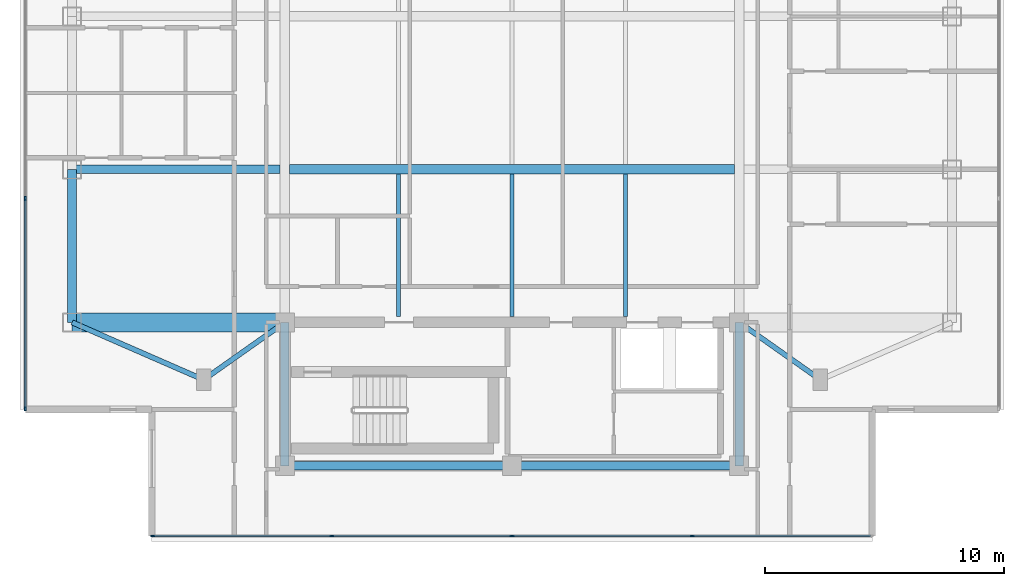
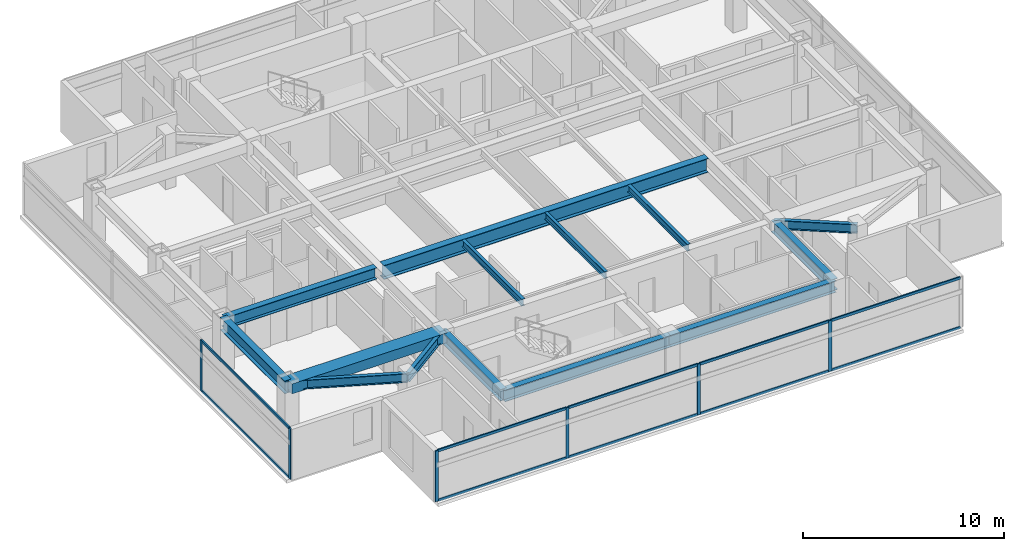
# One storey, part 2 of 12: 16 members, 14 beams, 2 elements without a shape of their own.
"""IFC4 building model written with IfcOpenShell, lengths in metres."""

from ifc_helpers import new_model, si_unit, direction, frame, origin, origin_2d, place, context, subcontext, project, spatial, rectangle, i_section, extrude, material, material_profile, profile_set, type_object, element, aggregate, save


model = new_model("IFC4")

# Units and contexts
model_context = context("Model", 3, precision=1e-05, world=origin(), true_north=direction((0.0, 1.0)))
body_context = subcontext(model_context, "Body", "Model", "MODEL_VIEW")
ifc_project = project(units=[si_unit("LENGTHUNIT", "METRE"), si_unit("AREAUNIT", "SQUARE_METRE"), si_unit("VOLUMEUNIT", "CUBIC_METRE"), si_unit("PLANEANGLEUNIT", "RADIAN"), si_unit("MASSUNIT", "GRAM", prefix="KILO")], contexts=[model_context])

# Site, building, storey
site_placement = place(None, origin())
site = spatial("IfcSite", under=ifc_project, at=site_placement, CompositionType="ELEMENT")
building_placement = place(site_placement, origin())
building = spatial("IfcBuilding", under=site, at=building_placement, Name="Mirazonda Arch Towers", CompositionType="ELEMENT")
storey_placement = place(building_placement, frame((0.0, 0.0, 222.699951171875)))
storey = spatial("IfcBuildingStorey", under=building, at=storey_placement, Name="L63", CompositionType="ELEMENT", Elevation=222.699951171875)

# Beams
ifc_material_1 = material(Name="Steel ASTM A992 Grade 50", Category="steel")
ifc_material_profile_1 = material_profile(ifc_material_1, i_section(OverallWidth=0.381103515625, OverallDepth=0.77294921875, WebThickness=0.0166015625, FlangeThickness=0.027099609375, at=origin_2d()), Name="W30X173")
ifc_profile_set_1 = profile_set([ifc_material_profile_1], Name="Steel ASTM A992 Grade 50")
beam_type_1 = type_object("IfcBeamType", Name="BM-EXT-W30X173", PredefinedType="USERDEFINED", material=ifc_profile_set_1)
beam_1_placement = place(storey_placement, frame((2.10009765625, 18.39990234375, 2.713623046875), z_axis=(0.0, 1.0, 0.0), x_axis=(-1.0, 0.0, 0.0)))
element("IfcBeam", 1, at=beam_1_placement, inside=storey, type_object=beam_type_1, Name="L63 Floor Beam BM-T1-L63-NS-W-18", ObjectType="GIRDER", PredefinedType="USERDEFINED", context=body_context, shape_type="SweptSolid", body=[
    extrude(i_section(OverallWidth=0.381103515625, OverallDepth=0.77294921875, WebThickness=0.0166015625, FlangeThickness=0.027099609375, at=origin_2d()), origin(), (0.0, 0.0, 1.0), 6.400146484375),
])
ifc_material_profile_2 = material_profile(ifc_material_1, i_section(OverallWidth=0.180908203125, OverallDepth=0.4169921875, WebThickness=0.010986328125, FlangeThickness=0.018310546875, at=origin_2d()), Name="W16X57")
ifc_profile_set_2 = profile_set([ifc_material_profile_2], Name="Steel ASTM A992 Grade 50")
beam_type_2 = type_object("IfcBeamType", Name="BM-INT-W16X57", PredefinedType="JOIST", material=ifc_profile_set_2)
for number, where, z_axis, x_axis, name in (
    (2, (15.75, 18.639892578125, 2.8916015625), (0.0, 1.0, 0.0), (-1.0, 0.0, 0.0), "L63 Floor Beam BM-T1-L63-J-157-18"),
    (3, (20.5, 18.639892578125, 2.8916015625), (0.0, 1.0, 0.0), (-1.0, 0.0, 0.0), "L63 Floor Beam BM-T1-L63-J-205-18"),
    (4, (25.25, 18.639892578125, 2.8916015625), (0.0, 1.0, 0.0), (-1.0, 0.0, 0.0), "L63 Floor Beam BM-T1-L63-J-252-18"),
):
    element("IfcBeam", number, at=place(storey_placement, frame(where, z_axis=z_axis, x_axis=x_axis)), inside=storey, type_object=beam_type_2, Name=name, PredefinedType="JOIST", context=body_context, shape_type="SweptSolid", body=[
        extrude(i_section(OverallWidth=0.180908203125, OverallDepth=0.4169921875, WebThickness=0.010986328125, FlangeThickness=0.018310546875, at=origin_2d()), origin(), (0.0, 0.0, 1.0), 5.964111328125),
    ])
ifc_material_profile_3 = material_profile(ifc_material_1, i_section(OverallWidth=0.214111328125, OverallDepth=0.549072265625, WebThickness=0.0146484375, FlangeThickness=0.023681640625, at=origin_2d()), Name="W21X93")
ifc_profile_set_3 = profile_set([ifc_material_profile_3], Name="Steel ASTM A992 Grade 50")
beam_type_3 = type_object("IfcBeamType", Name="BM-INT-W21X93", PredefinedType="BEAM", material=ifc_profile_set_3)
beam_2_placement = place(storey_placement, frame((7.60009765625, 16.0, 2.825439453125), z_axis=(0.816971114901, 0.576678591087, 0.0), x_axis=(-0.576678591087, 0.816971114901, 0.0)))
element("IfcBeam", 5, at=beam_2_placement, inside=storey, type_object=beam_type_3, Name="L63 Floor Beam BM-T1-L63-PL-SW1", PredefinedType="BEAM", context=body_context, shape_type="SweptSolid", body=[
    extrude(i_section(OverallWidth=0.214111328125, OverallDepth=0.549072265625, WebThickness=0.0146484375, FlangeThickness=0.023681640625, at=origin_2d()), origin(), (0.0, 0.0, 1.0), 4.16162109375),
])
beam_3_placement = place(storey_placement, frame((7.60009765625, 16.0, 2.825439453125), z_axis=(-0.916545343703, 0.399930785183, 0.0), x_axis=(-0.399930785183, -0.916545343703, 0.0)))
element("IfcBeam", 6, at=beam_3_placement, inside=storey, type_object=beam_type_3, Name="L63 Floor Beam BM-T1-L63-PL-SW2", PredefinedType="BEAM", context=body_context, shape_type="SweptSolid", body=[
    extrude(i_section(OverallWidth=0.214111328125, OverallDepth=0.549072265625, WebThickness=0.0146484375, FlangeThickness=0.023681640625, at=origin_2d()), origin(), (0.0, 0.0, 1.0), 6.000732421875),
])
beam_4_placement = place(storey_placement, frame((33.39990234375, 16.0, 2.825439453125), z_axis=(-0.816971114901, 0.576678591087, 0.0), x_axis=(-0.576678591087, -0.816971114901, 0.0)))
element("IfcBeam", 7, at=beam_4_placement, inside=storey, type_object=beam_type_3, Name="L63 Floor Beam BM-T1-L63-PL-SE1", PredefinedType="BEAM", context=body_context, shape_type="SweptSolid", body=[
    extrude(i_section(OverallWidth=0.214111328125, OverallDepth=0.549072265625, WebThickness=0.0146484375, FlangeThickness=0.023681640625, at=origin_2d()), origin(), (0.0, 0.0, 1.0), 4.16162109375),
])
ifc_material_profile_4 = material_profile(ifc_material_1, i_section(OverallWidth=0.35498046875, OverallDepth=0.696044921875, WebThickness=0.015380859375, FlangeThickness=0.02490234375, at=origin_2d()), Name="W27X146")
ifc_profile_set_4 = profile_set([ifc_material_profile_4], Name="Steel ASTM A992 Grade 50")
beam_type_4 = type_object("IfcBeamType", Name="BM-INT-W27X146", PredefinedType="BEAM", material=ifc_profile_set_4)
beam_5_placement = place(storey_placement, frame((2.10009765625, 24.800048828125, 2.751953125), z_axis=(1.0, 0.0, 0.0), x_axis=(0.0, 1.0, 0.0)))
element("IfcBeam", 8, at=beam_5_placement, inside=storey, type_object=beam_type_4, Name="L63 Floor Beam BM-T1-L63-GW2", PredefinedType="BEAM", context=body_context, shape_type="SweptSolid", body=[
    extrude(i_section(OverallWidth=0.35498046875, OverallDepth=0.696044921875, WebThickness=0.015380859375, FlangeThickness=0.02490234375, at=origin_2d()), origin(), (0.0, 0.0, 1.0), 8.699951171875),
])
for number, where, z_axis, x_axis, name in (
    (9, (11.0, 12.39990234375, 2.751953125), (1.0, 0.0, 0.0), (0.0, 1.0, 0.0), "L63 Floor Beam BM-T1-L63-CS1"),
    (10, (20.5, 12.39990234375, 2.751953125), (1.0, 0.0, 0.0), (0.0, 1.0, 0.0), "L63 Floor Beam BM-T1-L63-CS2"),
):
    element("IfcBeam", number, at=place(storey_placement, frame(where, z_axis=z_axis, x_axis=x_axis)), inside=storey, type_object=beam_type_4, Name=name, PredefinedType="BEAM", context=body_context, shape_type="SweptSolid", body=[
        extrude(i_section(OverallWidth=0.35498046875, OverallDepth=0.696044921875, WebThickness=0.015380859375, FlangeThickness=0.02490234375, at=origin_2d()), origin(), (0.0, 0.0, 1.0), 9.5),
    ])
for number, where, z_axis, x_axis, name in (
    (11, (11.0, 12.39990234375, 2.751953125), (0.0, 1.0, 0.0), (-1.0, 0.0, 0.0), "L63 Floor Beam BM-T1-L63-CSW"),
    (12, (30.0, 12.39990234375, 2.751953125), (0.0, 1.0, 0.0), (-1.0, 0.0, 0.0), "L63 Floor Beam BM-T1-L63-CSE"),
):
    element("IfcBeam", number, at=place(storey_placement, frame(where, z_axis=z_axis, x_axis=x_axis)), inside=storey, type_object=beam_type_4, Name=name, PredefinedType="BEAM", context=body_context, shape_type="SweptSolid", body=[
        extrude(i_section(OverallWidth=0.35498046875, OverallDepth=0.696044921875, WebThickness=0.015380859375, FlangeThickness=0.02490234375, at=origin_2d()), origin(), (0.0, 0.0, 1.0), 6.0),
    ])
ifc_material_profile_5 = material_profile(ifc_material_1, i_section(OverallWidth=0.39990234375, OverallDepth=0.85595703125, WebThickness=0.018310546875, FlangeThickness=0.029296875, at=origin_2d()), Name="W33X201")
ifc_profile_set_5 = profile_set([ifc_material_profile_5], Name="Steel ASTM A992 Grade 50")
beam_type_5 = type_object("IfcBeamType", Name="BM-INT-W33X201", PredefinedType="USERDEFINED", material=ifc_profile_set_5)
beam_6_placement = place(storey_placement, frame((11.199951171875, 24.800048828125, 2.672119140625), z_axis=(1.0, 0.0, 0.0), x_axis=(0.0, 1.0, 0.0)))
element("IfcBeam", 13, at=beam_6_placement, inside=storey, type_object=beam_type_5, Name="L63 Floor Beam BM-T1-L63-GC2", ObjectType="GIRDER", PredefinedType="USERDEFINED", context=body_context, shape_type="SweptSolid", body=[
    extrude(i_section(OverallWidth=0.39990234375, OverallDepth=0.85595703125, WebThickness=0.018310546875, FlangeThickness=0.029296875, at=origin_2d()), origin(), (0.0, 0.0, 1.0), 18.60009765625),
])
ifc_material_2 = material(Name="Concrete C60/75", Category="concrete")
ifc_material_profile_6 = material_profile(ifc_material_2, rectangle(XDim=0.800048828125, YDim=0.60009765625, at=origin_2d()), Name="RCCB800x600")
ifc_profile_set_6 = profile_set([ifc_material_profile_6], Name="Concrete C60/75")
beam_type_6 = type_object("IfcBeamType", Name="CB-INT-RCCB800x600", PredefinedType="SPANDREL", material=ifc_profile_set_6)
beam_7_placement = place(storey_placement, frame((2.10009765625, 18.39990234375, 2.800048828125), z_axis=(1.0, 0.0, 0.0), x_axis=(0.0, 1.0, 0.0)))
element("IfcBeam", 14, at=beam_7_placement, inside=storey, type_object=beam_type_6, Name="L63 Floor Beam CBC-T1-L63-SW", PredefinedType="SPANDREL", context=body_context, shape_type="SweptSolid", body=[
    extrude(rectangle(XDim=0.800048828125, YDim=0.60009765625, at=origin_2d()), origin(), (0.0, 0.0, 1.0), 8.89990234375),
])

# Curtain wall, members
ifc_material_3 = material(Name="Anodised Aluminium and Low-E Glass", Category="aluminium")
curtain_wall_type = type_object("IfcCurtainWallType", Name="CW-RES-UNIT", PredefinedType="NOTDEFINED", material=ifc_material_3)
curtain_wall_1_placement = place(storey_placement, origin())
curtain_wall_1 = element("IfcCurtainWall", 15, at=curtain_wall_1_placement, inside=storey, type_object=curtain_wall_type, Name="L63 T1 S Facade CW-L63-T1-S", PredefinedType="NOTDEFINED")
ifc_material_4 = material(Name="Anodised Aluminium Alloy", Category="aluminium")
ifc_material_profile_7 = material_profile(ifc_material_4, rectangle(XDim=0.074951171875, YDim=0.175048828125, at=origin_2d()), Name="ALU-MULL-75x175")
ifc_profile_set_7 = profile_set([ifc_material_profile_7], Name="Anodised Aluminium Alloy")
member_type_1 = type_object("IfcMemberType", Name="MULL-CW-RES-UNIT", PredefinedType="MULLION", material=ifc_profile_set_7)
member_1_placement = place(storey_placement, frame((28.034912109375, 9.4619140625, 0.0), z_axis=(0.0, 0.0, 1.0), x_axis=(0.0, -1.0, 0.0)))
member_1 = element("IfcMember", 16, at=member_1_placement, type_object=member_type_1, Name="CW-104 mullion 2", PredefinedType="MULLION", context=body_context, shape_type="SweptSolid", body=[
    extrude(rectangle(XDim=0.074951171875, YDim=0.175048828125, at=origin_2d()), origin(), (0.0, 0.0, 1.0), 3.080078125),
])
member_2_placement = place(storey_placement, frame((20.5, 9.4619140625, 0.0), z_axis=(0.0, 0.0, 1.0), x_axis=(0.0, -1.0, 0.0)))
member_2 = element("IfcMember", 17, at=member_2_placement, type_object=member_type_1, Name="CW-104 mullion 3", PredefinedType="MULLION", context=body_context, shape_type="SweptSolid", body=[
    extrude(rectangle(XDim=0.074951171875, YDim=0.175048828125, at=origin_2d()), origin(), (0.0, 0.0, 1.0), 3.080078125),
])
member_3_placement = place(storey_placement, frame((12.965087890625, 9.4619140625, 0.0), z_axis=(0.0, 0.0, 1.0), x_axis=(0.0, -1.0, 0.0)))
member_3 = element("IfcMember", 18, at=member_3_placement, type_object=member_type_1, Name="CW-104 mullion 4", PredefinedType="MULLION", context=body_context, shape_type="SweptSolid", body=[
    extrude(rectangle(XDim=0.074951171875, YDim=0.175048828125, at=origin_2d()), origin(), (0.0, 0.0, 1.0), 3.080078125),
])
member_4_placement = place(storey_placement, frame((5.467529296875, 9.4619140625, 0.0), z_axis=(0.0, 0.0, 1.0), x_axis=(0.0, -1.0, 0.0)))
member_4 = element("IfcMember", 19, at=member_4_placement, type_object=member_type_1, Name="CW-104 mullion 5", PredefinedType="MULLION", context=body_context, shape_type="SweptSolid", body=[
    extrude(rectangle(XDim=0.074951171875, YDim=0.175048828125, at=origin_2d()), origin(), (0.0, 0.0, 1.0), 3.080078125),
])

curtain_wall_2_placement = place(storey_placement, origin())
curtain_wall_2 = element("IfcCurtainWall", 20, at=curtain_wall_2_placement, inside=storey, type_object=curtain_wall_type, Name="L63 T1 W Facade CW-L63-T1-W", PredefinedType="NOTDEFINED")
member_5_placement = place(storey_placement, frame((0.139892578125, 23.583984375, 0.0), z_axis=(0.0, 0.0, 1.0), x_axis=(1.0, 0.0, 0.0)))
member_5 = element("IfcMember", 21, at=member_5_placement, type_object=member_type_1, Name="CW-104 mullion 3", PredefinedType="MULLION", context=body_context, shape_type="SweptSolid", body=[
    extrude(rectangle(XDim=0.074951171875, YDim=0.175048828125, at=origin_2d()), origin(), (0.0, 0.0, 1.0), 3.080078125),
])
member_6_placement = place(storey_placement, frame((0.139892578125, 14.78955078125, 0.0), z_axis=(0.0, 0.0, 1.0), x_axis=(1.0, 0.0, 0.0)))
member_6 = element("IfcMember", 22, at=member_6_placement, type_object=member_type_1, Name="CW-104 mullion 4", PredefinedType="MULLION", context=body_context, shape_type="SweptSolid", body=[
    extrude(rectangle(XDim=0.074951171875, YDim=0.175048828125, at=origin_2d()), origin(), (0.0, 0.0, 1.0), 3.080078125),
])

# Member
ifc_material_profile_8 = material_profile(ifc_material_4, rectangle(XDim=0.074951171875, YDim=0.155029296875, at=origin_2d()), Name="ALU-TRAN-75x155")
ifc_profile_set_8 = profile_set([ifc_material_profile_8], Name="Anodised Aluminium Alloy")
member_type_2 = type_object("IfcMemberType", Name="TRAN-CW-RES-UNIT", PredefinedType="USERDEFINED", material=ifc_profile_set_8)
member_7_placement = place(storey_placement, frame((35.4951171875, 9.4619140625, 0.03759765625), z_axis=(-1.0, 0.0, 0.0), x_axis=(0.0, -1.0, 0.0)))
member_7 = element("IfcMember", 23, at=member_7_placement, type_object=member_type_2, Name="CW-104 transom 1.1", ObjectType="TRANSOM", PredefinedType="USERDEFINED", context=body_context, shape_type="SweptSolid", body=[
    extrude(rectangle(XDim=0.074951171875, YDim=0.155029296875, at=origin_2d()), origin(), (0.0, 0.0, 1.0), 7.422607421875),
])

member_8_placement = place(storey_placement, frame((35.4951171875, 9.4619140625, 3.04248046875), z_axis=(-1.0, 0.0, 0.0), x_axis=(0.0, -1.0, 0.0)))
member_8 = element("IfcMember", 24, at=member_8_placement, type_object=member_type_2, Name="CW-104 transom 1.2", ObjectType="TRANSOM", PredefinedType="USERDEFINED", context=body_context, shape_type="SweptSolid", body=[
    extrude(rectangle(XDim=0.074951171875, YDim=0.155029296875, at=origin_2d()), origin(), (0.0, 0.0, 1.0), 7.422607421875),
])

member_9_placement = place(storey_placement, frame((27.99755859375, 9.4619140625, 0.03759765625), z_axis=(-1.0, 0.0, 0.0), x_axis=(0.0, -1.0, 0.0)))
member_9 = element("IfcMember", 25, at=member_9_placement, type_object=member_type_2, Name="CW-104 transom 2.1", ObjectType="TRANSOM", PredefinedType="USERDEFINED", context=body_context, shape_type="SweptSolid", body=[
    extrude(rectangle(XDim=0.074951171875, YDim=0.155029296875, at=origin_2d()), origin(), (0.0, 0.0, 1.0), 7.4599609375),
])

member_10_placement = place(storey_placement, frame((27.99755859375, 9.4619140625, 3.04248046875), z_axis=(-1.0, 0.0, 0.0), x_axis=(0.0, -1.0, 0.0)))
member_10 = element("IfcMember", 26, at=member_10_placement, type_object=member_type_2, Name="CW-104 transom 2.2", ObjectType="TRANSOM", PredefinedType="USERDEFINED", context=body_context, shape_type="SweptSolid", body=[
    extrude(rectangle(XDim=0.074951171875, YDim=0.155029296875, at=origin_2d()), origin(), (0.0, 0.0, 1.0), 7.4599609375),
])

member_11_placement = place(storey_placement, frame((20.46240234375, 9.4619140625, 0.03759765625), z_axis=(-1.0, 0.0, 0.0), x_axis=(0.0, -1.0, 0.0)))
member_11 = element("IfcMember", 27, at=member_11_placement, type_object=member_type_2, Name="CW-104 transom 3.1", ObjectType="TRANSOM", PredefinedType="USERDEFINED", context=body_context, shape_type="SweptSolid", body=[
    extrude(rectangle(XDim=0.074951171875, YDim=0.155029296875, at=origin_2d()), origin(), (0.0, 0.0, 1.0), 7.4599609375),
])

member_12_placement = place(storey_placement, frame((20.46240234375, 9.4619140625, 3.04248046875), z_axis=(-1.0, 0.0, 0.0), x_axis=(0.0, -1.0, 0.0)))
member_12 = element("IfcMember", 28, at=member_12_placement, type_object=member_type_2, Name="CW-104 transom 3.2", ObjectType="TRANSOM", PredefinedType="USERDEFINED", context=body_context, shape_type="SweptSolid", body=[
    extrude(rectangle(XDim=0.074951171875, YDim=0.155029296875, at=origin_2d()), origin(), (0.0, 0.0, 1.0), 7.4599609375),
])

member_13_placement = place(storey_placement, frame((12.927490234375, 9.4619140625, 0.03759765625), z_axis=(-1.0, 0.0, 0.0), x_axis=(0.0, -1.0, 0.0)))
member_13 = element("IfcMember", 29, at=member_13_placement, type_object=member_type_2, Name="CW-104 transom 4.1", ObjectType="TRANSOM", PredefinedType="USERDEFINED", context=body_context, shape_type="SweptSolid", body=[
    extrude(rectangle(XDim=0.074951171875, YDim=0.155029296875, at=origin_2d()), origin(), (0.0, 0.0, 1.0), 7.422607421875),
])

member_14_placement = place(storey_placement, frame((12.927490234375, 9.4619140625, 3.04248046875), z_axis=(-1.0, 0.0, 0.0), x_axis=(0.0, -1.0, 0.0)))
member_14 = element("IfcMember", 30, at=member_14_placement, type_object=member_type_2, Name="CW-104 transom 4.2", ObjectType="TRANSOM", PredefinedType="USERDEFINED", context=body_context, shape_type="SweptSolid", body=[
    extrude(rectangle(XDim=0.074951171875, YDim=0.155029296875, at=origin_2d()), origin(), (0.0, 0.0, 1.0), 7.422607421875),
])

aggregate(curtain_wall_1, [member_1, member_2, member_3, member_4, member_7, member_8, member_9, member_10, member_11, member_12, member_13, member_14])

member_15_placement = place(storey_placement, frame((0.139892578125, 23.54638671875, 0.03759765625), z_axis=(0.0, -1.0, 0.0), x_axis=(1.0, 0.0, 0.0)))
member_15 = element("IfcMember", 31, at=member_15_placement, type_object=member_type_2, Name="CW-104 transom 3.1", ObjectType="TRANSOM", PredefinedType="USERDEFINED", context=body_context, shape_type="SweptSolid", body=[
    extrude(rectangle(XDim=0.074951171875, YDim=0.155029296875, at=origin_2d()), origin(), (0.0, 0.0, 1.0), 8.719482421875),
])

member_16_placement = place(storey_placement, frame((0.139892578125, 23.54638671875, 3.04248046875), z_axis=(0.0, -1.0, 0.0), x_axis=(1.0, 0.0, 0.0)))
member_16 = element("IfcMember", 32, at=member_16_placement, type_object=member_type_2, Name="CW-104 transom 3.2", ObjectType="TRANSOM", PredefinedType="USERDEFINED", context=body_context, shape_type="SweptSolid", body=[
    extrude(rectangle(XDim=0.074951171875, YDim=0.155029296875, at=origin_2d()), origin(), (0.0, 0.0, 1.0), 8.719482421875),
])

aggregate(curtain_wall_2, [member_5, member_6, member_15, member_16])

save(model, "model.ifc")
